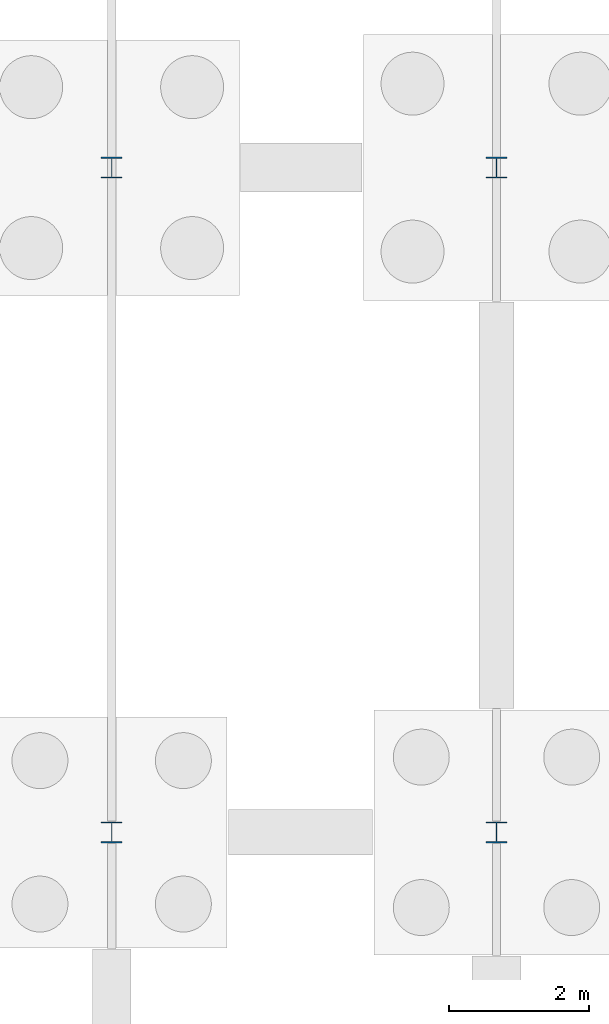
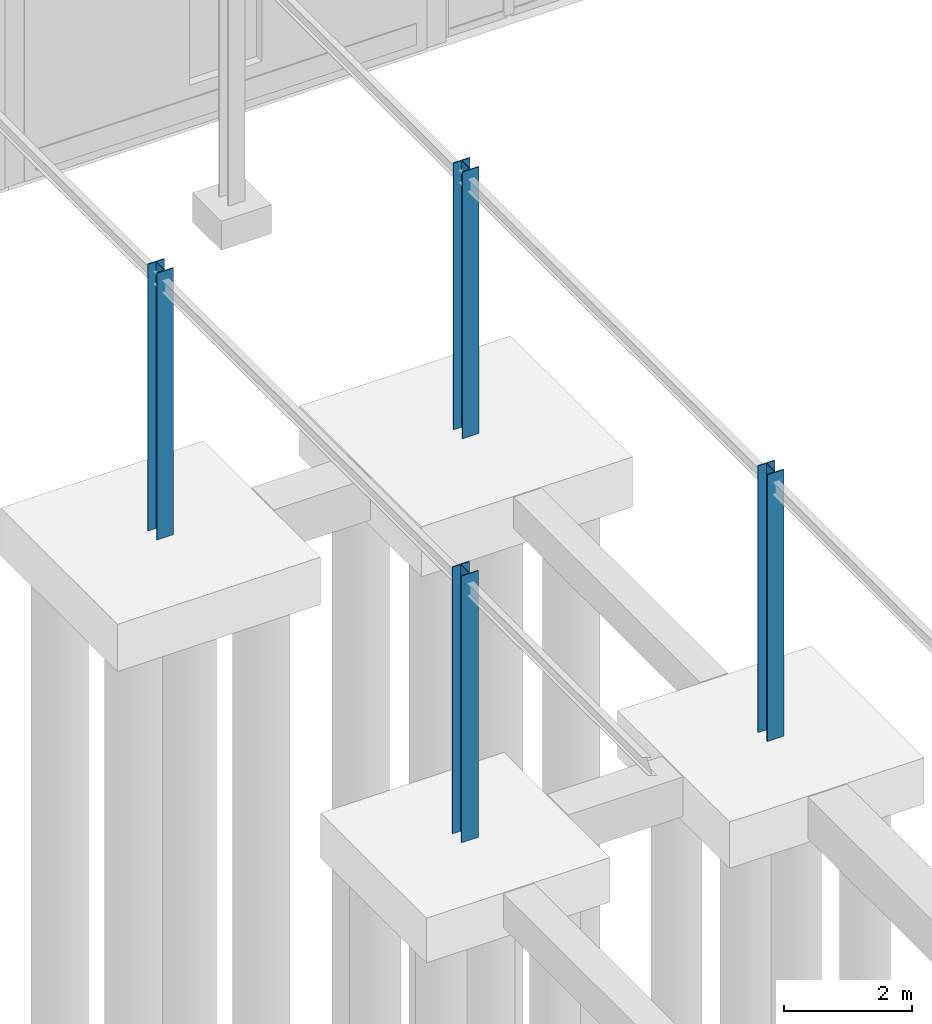
# One storey, part 8 of 109: 4 columns.
"""IFC4 building model written with IfcOpenShell, lengths in metres."""

from ifc_helpers import new_model, si_unit, direction, frame, origin, origin_2d, place, context, subcontext, project, spatial, i_section, extrude, material, material_profile, profile_set, type_object, element, save


model = new_model("IFC4")

# Units and contexts
model_context = context("Model", 3, precision=1e-05, world=origin(), true_north=direction((0.0, 1.0)))
body_context = subcontext(model_context, "Body", "Model", "MODEL_VIEW")
ifc_project = project(units=[si_unit("LENGTHUNIT", "METRE"), si_unit("AREAUNIT", "SQUARE_METRE"), si_unit("VOLUMEUNIT", "CUBIC_METRE"), si_unit("PLANEANGLEUNIT", "RADIAN"), si_unit("MASSUNIT", "GRAM", prefix="KILO")], contexts=[model_context])

# Site, building, storey
site_placement = place(None, origin())
site = spatial("IfcSite", under=ifc_project, at=site_placement, CompositionType="ELEMENT")
building_placement = place(site_placement, origin())
building = spatial("IfcBuilding", under=site, at=building_placement, Name="Montecoro Central Library", CompositionType="ELEMENT")
storey_placement = place(building_placement, origin())
storey = spatial("IfcBuildingStorey", under=building, at=storey_placement, Name="L00", CompositionType="ELEMENT", Elevation=0.0)

# Columns
ifc_material = material(Name="Steel S355", Category="steel")
ifc_material_profile = material_profile(ifc_material, i_section(OverallWidth=0.300048828125, OverallDepth=0.300048828125, WebThickness=0.010986328125, FlangeThickness=0.01904296875, at=origin_2d()), Name="HEB 300")
ifc_profile_set = profile_set([ifc_material_profile], Name="Steel S355")
column_type = type_object("IfcColumnType", Name="COL-HEB300", PredefinedType="COLUMN", material=ifc_profile_set)
for number, where, z_axis, x_axis, name in (
    (1, (25.050048828125, 54.39990234375, 0.0), (0.0, 0.0, 1.0), (1.0, 0.0, 0.0), "BR-W-L00-COL-250-544"),
    (2, (30.550048828125, 54.39990234375, 0.0), (0.0, 0.0, 1.0), (1.0, 0.0, 0.0), "BR-W-L00-COL-305-544"),
    (3, (25.050048828125, 63.89990234375, 0.0), (0.0, 0.0, 1.0), (1.0, 0.0, 0.0), "BR-W-L00-COL-250-639"),
    (4, (30.550048828125, 63.89990234375, 0.0), (0.0, 0.0, 1.0), (1.0, 0.0, 0.0), "BR-W-L00-COL-305-639"),
):
    element("IfcColumn", number, at=place(storey_placement, frame(where, z_axis=z_axis, x_axis=x_axis)), inside=storey, type_object=column_type, Name=name, PredefinedType="COLUMN", context=body_context, shape_type="SweptSolid", body=[
        extrude(i_section(OverallWidth=0.300048828125, OverallDepth=0.300048828125, WebThickness=0.010986328125, FlangeThickness=0.01904296875, at=origin_2d()), origin(), (0.0, 0.0, 1.0), 5.074951171875),
    ])

save(model, "model.ifc")
